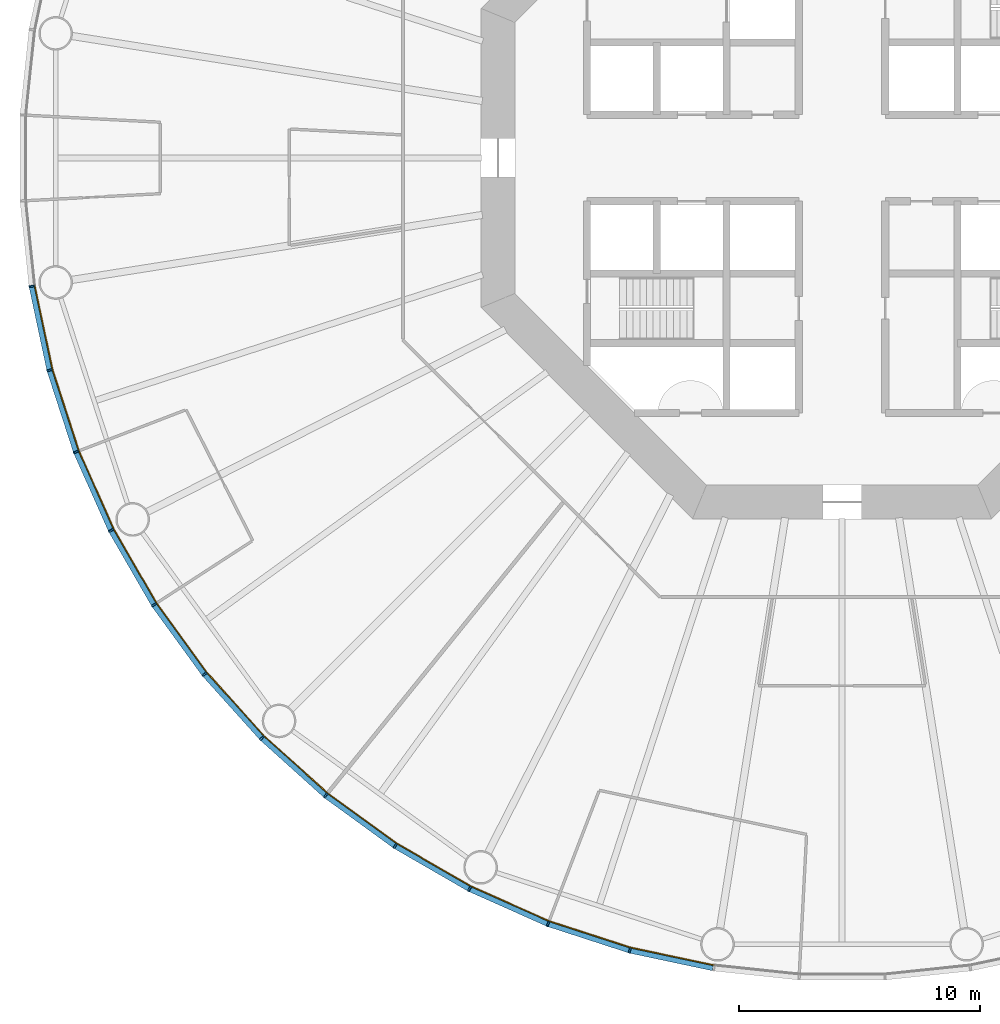
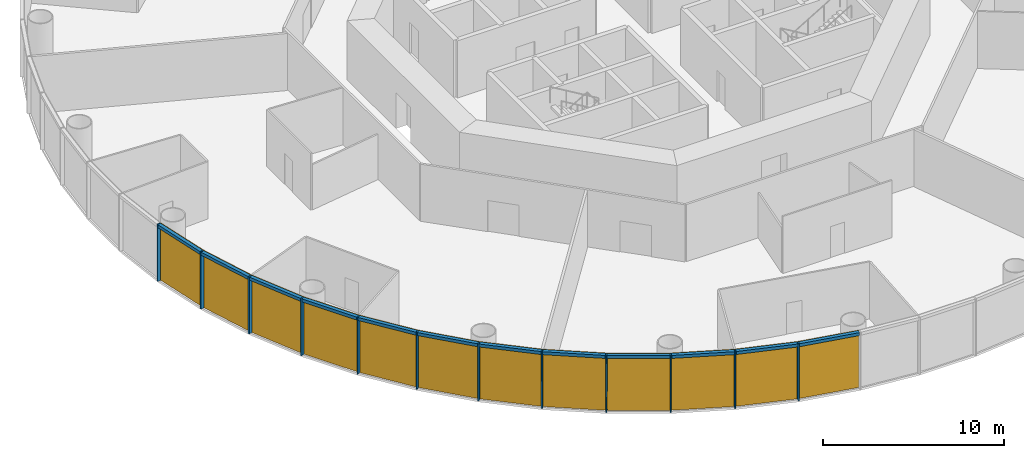
# One storey, part 7 of 13: 24 members, 4 curtain walls.
"""IFC4 building model written with IfcOpenShell, lengths in metres."""

import ifcopenshell
import ifcopenshell.guid

model = None  # the IFC model being written
_history = None  # IfcOwnerHistory: only IFC2X3 demands one
_inside = {}  # id of a spatial element -> (the spatial element, [elements in it])
_under = {}  # id of a project, library or spatial element -> (it, [spatial elements below it])
_declared = {}  # id of a project -> (the project, [libraries it declares])
_typed = {}  # id of a type object -> (the type object, [elements of that type])
_made_of = {}  # id of a material, layer set ... -> (it, [elements and type objects made of it])


def new_model(schema):
    """Start an empty IFC model of exactly this schema.

    Asked for "IFC4X3", IfcOpenShell would pick the latest addendum, in which some entities
    have other attributes; the version numbers below select the first issue.
    IFC2X3 requires an IfcOwnerHistory on every rooted entity: one is made here for all.
    """
    global model, _history
    if schema == "IFC4X3":
        model = ifcopenshell.file(schema_version=(4, 3, 0, 0))
    else:
        model = ifcopenshell.file(schema=schema)
    _inside.clear()
    _under.clear()
    _declared.clear()
    _typed.clear()
    _made_of.clear()
    _history = None
    if model.schema == "IFC2X3":
        org = make("IfcOrganization", Name="unknown")
        user = make(
            "IfcPersonAndOrganization",
            ThePerson=make("IfcPerson", FamilyName="unknown"),
            TheOrganization=org,
        )
        app = make(
            "IfcApplication",
            ApplicationDeveloper=org,
            Version="unknown",
            ApplicationFullName="unknown",
            ApplicationIdentifier="unknown",
        )
        _history = make(
            "IfcOwnerHistory",
            OwningUser=user,
            OwningApplication=app,
            ChangeAction="ADDED",
            CreationDate=0,
        )
    return model


def make(cls, **values):
    """One entity of the class cls with the attributes given. An attribute that is None is left unset."""
    return model.create_entity(
        cls, **{name: value for name, value in values.items() if value is not None}
    )


def rooted(cls, **values):
    """An entity with a GlobalId (a new one), such as an element, a storey or a relation."""
    return make(cls, GlobalId=ifcopenshell.guid.new(), OwnerHistory=_history, **values)


def si_unit(unit_type, name, prefix=None):
    """IfcSIUnit, for example si_unit("LENGTHUNIT", "METRE", prefix="MILLI")."""
    return make("IfcSIUnit", UnitType=unit_type, Prefix=prefix, Name=name)


def assignment(units):
    """IfcUnitAssignment: the units of a project."""
    return None if units is None else make("IfcUnitAssignment", Units=units)


def point(xyz):
    """IfcCartesianPoint."""
    return None if xyz is None else make("IfcCartesianPoint", Coordinates=xyz)


def direction(xyz):
    """IfcDirection."""
    return None if xyz is None else make("IfcDirection", DirectionRatios=xyz)


def frame(location, z_axis=None, x_axis=None):
    """IfcAxis2Placement3D, a coordinate frame: its origin and axes. An axis left out is left unset."""
    return make(
        "IfcAxis2Placement3D",
        Location=point(location),
        Axis=direction(z_axis),
        RefDirection=direction(x_axis),
    )


def frame_2d(location, x_axis=None):
    """IfcAxis2Placement2D, a coordinate frame in the plane: its origin and x axis."""
    return make(
        "IfcAxis2Placement2D", Location=point(location), RefDirection=direction(x_axis)
    )


def origin():
    """The frame at (0, 0, 0) with its axes left unset."""
    return frame((0.0, 0.0, 0.0))


def origin_2d():
    """The frame at (0, 0) in the plane with its x axis left unset."""
    return frame_2d((0.0, 0.0))


def place(relative_to, where):
    """IfcLocalPlacement: puts the frame where relative to a parent placement (None: the world)."""
    return make(
        "IfcLocalPlacement", PlacementRelTo=relative_to, RelativePlacement=where
    )


def context(
    kind, dimensions, precision=None, world=None, true_north=None, identifier=None
):
    """IfcGeometricRepresentationContext, for example the 3D "Model" context."""
    return make(
        "IfcGeometricRepresentationContext",
        ContextIdentifier=identifier,
        ContextType=kind,
        CoordinateSpaceDimension=dimensions,
        Precision=precision,
        WorldCoordinateSystem=world,
        TrueNorth=true_north,
    )


def subcontext(parent, identifier, kind, view, scale=None):
    """IfcGeometricRepresentationSubContext, for example "Body" below "Model"."""
    return make(
        "IfcGeometricRepresentationSubContext",
        ContextIdentifier=identifier,
        ContextType=kind,
        ParentContext=parent,
        TargetScale=scale,
        TargetView=view,
    )


def project(units=None, contexts=None):
    """IfcProject with its units and contexts."""
    return rooted(
        "IfcProject",
        Name="project",
        RepresentationContexts=contexts,
        UnitsInContext=assignment(units),
    )


def spatial(cls, under=None, at=None, **own):
    """A site, building, storey or space (cls), placed at a placement, below another one or the project."""
    s = rooted(cls, ObjectPlacement=at, **own)
    if under is not None:
        _under.setdefault(under.id(), (under, []))[1].append(s)
    return s


def polyline(points):
    """IfcPolyline through the points."""
    return make("IfcPolyline", Points=[point(p) for p in points])


def profile(cls, at=None, kind="AREA", **sizes):
    """A parametric profile (cls). Its sizes go by their IFC names, for example OverallWidth=200.0."""
    return make(cls, ProfileType=kind, Position=at, **sizes)


def rectangle(**sizes):
    """IfcRectangleProfileDef."""
    return profile("IfcRectangleProfileDef", **sizes)


def outline(outer, holes=None, kind="AREA"):
    """IfcArbitraryClosedProfileDef: a profile drawn as a closed curve; with holes, ...WithVoids."""
    if holes is None:
        return make("IfcArbitraryClosedProfileDef", ProfileType=kind, OuterCurve=outer)
    return make(
        "IfcArbitraryProfileDefWithVoids",
        ProfileType=kind,
        OuterCurve=outer,
        InnerCurves=holes,
    )


def extrude(swept, where, along, depth):
    """IfcExtrudedAreaSolid: the profile swept, set in the frame where, extruded along a direction by depth."""
    return make(
        "IfcExtrudedAreaSolid",
        SweptArea=swept,
        Position=where,
        ExtrudedDirection=direction(along),
        Depth=depth,
    )


def shape(context_of_items, identifier, shape_type, items):
    """IfcShapeRepresentation: the items that make up one representation, for example the "Body"."""
    return make(
        "IfcShapeRepresentation",
        ContextOfItems=context_of_items,
        RepresentationIdentifier=identifier,
        RepresentationType=shape_type,
        Items=items,
    )


def material(Name=None, Category=None):
    """IfcMaterial."""
    return make("IfcMaterial", Name=Name, Category=Category)


def layer(
    of_material, thickness, ventilated=None, Name=None, Category=None, Priority=None
):
    """IfcMaterialLayer: one layer of a wall or slab, of a material (None: an air gap)."""
    return make(
        "IfcMaterialLayer",
        Material=of_material,
        LayerThickness=thickness,
        IsVentilated=ventilated,
        Name=Name,
        Category=Category,
        Priority=Priority,
    )


def layer_set(layers, Name=None):
    """IfcMaterialLayerSet."""
    return make("IfcMaterialLayerSet", MaterialLayers=layers, LayerSetName=Name)


def material_profile(
    of_material, cross_section, Name=None, Category=None, Priority=None
):
    """IfcMaterialProfile: a cross section and its material."""
    return make(
        "IfcMaterialProfile",
        Name=Name,
        Material=of_material,
        Profile=cross_section,
        Priority=Priority,
        Category=Category,
    )


def profile_set(profiles, Name=None, composite=None):
    """IfcMaterialProfileSet."""
    return make(
        "IfcMaterialProfileSet",
        Name=Name,
        MaterialProfiles=profiles,
        CompositeProfile=composite,
    )


def made_of(thing, what):
    """Note that an element or type object is made of a material, layer set ...; save() writes the relation."""
    if what is not None:
        _made_of.setdefault(what.id(), (what, []))[1].append(thing)
    return thing


def type_object(cls, material=None, **own):
    """A type object (cls), such as IfcWallType, which elements share."""
    return made_of(rooted(cls, **own), material)


def element(
    cls,
    number,
    at=None,
    inside=None,
    cuts=None,
    type_object=None,
    material=None,
    context=None,
    identifier="Body",
    shape_type=None,
    held_by="IfcProductDefinitionShape",
    body=None,
    shapes=None,
    **own,
):
    """One element of the class cls, such as IfcWall. Its Tag is "e" and its number.

    at: its placement. inside: the storey or other place that contains it. cuts: it is an
    opening in that element (IfcRelVoidsElement). A single representation is given by context,
    identifier, shape_type and body (its items); several are given by shapes. held_by: the class
    of the entity that holds the representations. save() writes the other relations.
    """
    e = rooted(cls, Tag="e%d" % number, ObjectPlacement=at, **own)
    if body is not None:
        shapes = [shape(context, identifier, shape_type, body)]
    if shapes is not None:
        e.Representation = make(held_by, Representations=shapes)
    if inside is not None:
        _inside.setdefault(inside.id(), (inside, []))[1].append(e)
    if cuts is not None:
        rooted(
            "IfcRelVoidsElement", RelatingBuildingElement=cuts, RelatedOpeningElement=e
        )
    if type_object is not None:
        _typed.setdefault(type_object.id(), (type_object, []))[1].append(e)
    return made_of(e, material)


def aggregate(whole, parts):
    """IfcRelAggregates: a whole, such as a stair, and the parts it consists of."""
    return rooted("IfcRelAggregates", RelatingObject=whole, RelatedObjects=parts)


def save(model, path):
    """Write the relations noted so far, then the file.

    IfcRelAggregates (storeys below a building ...), IfcRelContainedInSpatialStructure (elements
    in a storey), IfcRelDefinesByType, IfcRelAssociatesMaterial and IfcRelDeclares: one each for
    every whole, place, type object, material and project.
    """
    for whole, parts in _under.values():
        aggregate(whole, parts)
    for where, things in _inside.values():
        rooted(
            "IfcRelContainedInSpatialStructure",
            RelatedElements=things,
            RelatingStructure=where,
        )
    for kind, things in _typed.values():
        rooted("IfcRelDefinesByType", RelatedObjects=things, RelatingType=kind)
    for what, things in _made_of.values():
        rooted("IfcRelAssociatesMaterial", RelatedObjects=things, RelatingMaterial=what)
    for by, libraries in _declared.values():
        rooted("IfcRelDeclares", RelatingContext=by, RelatedDefinitions=libraries)
    model.write(path)


model = new_model("IFC4")

# Units and contexts
model_context = context("Model", 3, precision=1e-05, world=origin(), true_north=direction((0.0, 1.0)))
body_context = subcontext(model_context, "Body", "Model", "MODEL_VIEW")
ifc_project = project(units=[si_unit("LENGTHUNIT", "METRE"), si_unit("AREAUNIT", "SQUARE_METRE"), si_unit("VOLUMEUNIT", "CUBIC_METRE"), si_unit("PLANEANGLEUNIT", "RADIAN"), si_unit("MASSUNIT", "GRAM", prefix="KILO")], contexts=[model_context])

# Member
ifc_material_1 = material(Name="Anodised aluminium", Category="aluminium")
ifc_material_profile_1 = material_profile(ifc_material_1, rectangle(XDim=0.074951171875, YDim=0.219970703125, at=origin_2d()), Name="Mullion 75 x 220 mm anodised aluminium")
ifc_profile_set_1 = profile_set([ifc_material_profile_1], Name="Anodised aluminium")
member_type_1 = type_object("IfcMemberType", Name="Mullion 75 x 220 mm anodised aluminium", PredefinedType="MULLION", material=ifc_profile_set_1)
site_placement = place(None, origin())
building_placement = place(site_placement, origin())
storey_placement = place(building_placement, frame((0.0, 0.0, 58.0)))
member_1_placement = place(storey_placement, frame((56.31005859375, 74.6640625, 0.0), z_axis=(0.0, 0.0, 1.0), x_axis=(0.15643446504, -0.987688340595, 0.0)))
member_1 = element("IfcMember", 1, at=member_1_placement, type_object=member_type_1, Name="MULLION L12-30", PredefinedType="MULLION", context=body_context, shape_type="SweptSolid", body=[
    extrude(rectangle(XDim=0.074951171875, YDim=0.219970703125, at=origin_2d()), origin(), (0.0, 0.0, 1.0), 3.85009765625),
])

member_2_placement = place(storey_placement, frame((57.05224609375, 71.171630859375, 0.0), z_axis=(0.0, 0.0, 1.0), x_axis=(0.258819045103, -0.965925826289, 0.0)))
member_2 = element("IfcMember", 2, at=member_2_placement, type_object=member_type_1, Name="MULLION L12-31", PredefinedType="MULLION", context=body_context, shape_type="SweptSolid", body=[
    extrude(rectangle(XDim=0.074951171875, YDim=0.219970703125, at=origin_2d()), origin(), (0.0, 0.0, 1.0), 3.85009765625),
])

member_3_placement = place(storey_placement, frame((58.155517578125, 67.776123046875, 0.0), z_axis=(0.0, 0.0, 1.0), x_axis=(0.358367949545, -0.933580426497, 0.0)))
member_3 = element("IfcMember", 3, at=member_3_placement, type_object=member_type_1, Name="MULLION L12-32", PredefinedType="MULLION", context=body_context, shape_type="SweptSolid", body=[
    extrude(rectangle(XDim=0.074951171875, YDim=0.219970703125, at=origin_2d()), origin(), (0.0, 0.0, 1.0), 3.85009765625),
])

member_4_placement = place(storey_placement, frame((59.607666015625, 64.514404296875, 0.0), z_axis=(0.0, 0.0, 1.0), x_axis=(0.45399049974, -0.891006524188, 0.0)))
member_4 = element("IfcMember", 4, at=member_4_placement, type_object=member_type_1, Name="MULLION L12-33", PredefinedType="MULLION", context=body_context, shape_type="SweptSolid", body=[
    extrude(rectangle(XDim=0.074951171875, YDim=0.219970703125, at=origin_2d()), origin(), (0.0, 0.0, 1.0), 3.85009765625),
])

member_5_placement = place(storey_placement, frame((61.39306640625, 61.42236328125, 0.0), z_axis=(0.0, 0.0, 1.0), x_axis=(0.544639035015, -0.838670567945, 0.0)))
member_5 = element("IfcMember", 5, at=member_5_placement, type_object=member_type_1, Name="MULLION L12-34", PredefinedType="MULLION", context=body_context, shape_type="SweptSolid", body=[
    extrude(rectangle(XDim=0.074951171875, YDim=0.219970703125, at=origin_2d()), origin(), (0.0, 0.0, 1.0), 3.85009765625),
])

member_6_placement = place(storey_placement, frame((63.491455078125, 58.533935546875, 0.0), z_axis=(0.0, 0.0, 1.0), x_axis=(0.62932039105, -0.777145961457, 0.0)))
member_6 = element("IfcMember", 6, at=member_6_placement, type_object=member_type_1, Name="MULLION L12-35", PredefinedType="MULLION", context=body_context, shape_type="SweptSolid", body=[
    extrude(rectangle(XDim=0.074951171875, YDim=0.219970703125, at=origin_2d()), origin(), (0.0, 0.0, 1.0), 3.85009765625),
])

member_7_placement = place(storey_placement, frame((65.880615234375, 55.880615234375, 0.0), z_axis=(0.0, 0.0, 1.0), x_axis=(0.707106781187, -0.707106781187, 0.0)))
member_7 = element("IfcMember", 7, at=member_7_placement, type_object=member_type_1, Name="MULLION L12-36", PredefinedType="MULLION", context=body_context, shape_type="SweptSolid", body=[
    extrude(rectangle(XDim=0.074951171875, YDim=0.219970703125, at=origin_2d()), origin(), (0.0, 0.0, 1.0), 3.85009765625),
])

member_8_placement = place(storey_placement, frame((68.533935546875, 53.491455078125, 0.0), z_axis=(0.0, 0.0, 1.0), x_axis=(0.777145961457, -0.62932039105, 0.0)))
member_8 = element("IfcMember", 8, at=member_8_placement, type_object=member_type_1, Name="MULLION L12-37", PredefinedType="MULLION", context=body_context, shape_type="SweptSolid", body=[
    extrude(rectangle(XDim=0.074951171875, YDim=0.219970703125, at=origin_2d()), origin(), (0.0, 0.0, 1.0), 3.85009765625),
])

member_9_placement = place(storey_placement, frame((71.42236328125, 51.39306640625, 0.0), z_axis=(0.0, 0.0, 1.0), x_axis=(0.838670567945, -0.544639035015, 0.0)))
member_9 = element("IfcMember", 9, at=member_9_placement, type_object=member_type_1, Name="MULLION L12-38", PredefinedType="MULLION", context=body_context, shape_type="SweptSolid", body=[
    extrude(rectangle(XDim=0.074951171875, YDim=0.219970703125, at=origin_2d()), origin(), (0.0, 0.0, 1.0), 3.85009765625),
])

member_10_placement = place(storey_placement, frame((74.514404296875, 49.607666015625, 0.0), z_axis=(0.0, 0.0, 1.0), x_axis=(0.891006524188, -0.45399049974, 0.0)))
member_10 = element("IfcMember", 10, at=member_10_placement, type_object=member_type_1, Name="MULLION L12-39", PredefinedType="MULLION", context=body_context, shape_type="SweptSolid", body=[
    extrude(rectangle(XDim=0.074951171875, YDim=0.219970703125, at=origin_2d()), origin(), (0.0, 0.0, 1.0), 3.85009765625),
])

member_11_placement = place(storey_placement, frame((77.776123046875, 48.155517578125, 0.0), z_axis=(0.0, 0.0, 1.0), x_axis=(0.933580426497, -0.358367949545, 0.0)))
member_11 = element("IfcMember", 11, at=member_11_placement, type_object=member_type_1, Name="MULLION L12-40", PredefinedType="MULLION", context=body_context, shape_type="SweptSolid", body=[
    extrude(rectangle(XDim=0.074951171875, YDim=0.219970703125, at=origin_2d()), origin(), (0.0, 0.0, 1.0), 3.85009765625),
])

member_12_placement = place(storey_placement, frame((81.171630859375, 47.05224609375, 0.0), z_axis=(0.0, 0.0, 1.0), x_axis=(0.965925826289, -0.258819045103, 0.0)))
member_12 = element("IfcMember", 12, at=member_12_placement, type_object=member_type_1, Name="MULLION L12-41", PredefinedType="MULLION", context=body_context, shape_type="SweptSolid", body=[
    extrude(rectangle(XDim=0.074951171875, YDim=0.219970703125, at=origin_2d()), origin(), (0.0, 0.0, 1.0), 3.85009765625),
])

ifc_material_2 = material(Name="Anodised aluminium", Category="aluminium")
ifc_material_profile_2 = material_profile(ifc_material_2, rectangle(XDim=0.219970703125, YDim=0.199951171875, at=origin_2d()), Name="Transom 200 x 220 mm anodised aluminium")
ifc_profile_set_2 = profile_set([ifc_material_profile_2], Name="Anodised aluminium")
member_type_2 = type_object("IfcMemberType", Name="Transom 200 x 220 mm anodised aluminium", PredefinedType="USERDEFINED", material=ifc_profile_set_2)
member_13_placement = place(storey_placement, frame((56.31884765625, 74.62158203125, 3.75), z_axis=(0.207920776701, -0.978145669426, 0.0), x_axis=(0.978145669426, 0.207920776701, 0.0)))
member_13 = element("IfcMember", 13, at=member_13_placement, type_object=member_type_2, Name="TRANSOM L12-30", ObjectType="TRANSOM", PredefinedType="USERDEFINED", context=body_context, shape_type="SweptSolid", body=[
    extrude(rectangle(XDim=0.219970703125, YDim=0.199951171875, at=origin_2d()), origin(), (0.0, 0.0, 1.0), 3.48388671875),
])

member_14_placement = place(storey_placement, frame((57.0654296875, 71.130615234375, 3.75), z_axis=(0.309029029702, -0.951052605696, 0.0), x_axis=(0.951052605696, 0.309029029702, 0.0)))
member_14 = element("IfcMember", 14, at=member_14_placement, type_object=member_type_2, Name="TRANSOM L12-31", ObjectType="TRANSOM", PredefinedType="USERDEFINED", context=body_context, shape_type="SweptSolid", body=[
    extrude(rectangle(XDim=0.219970703125, YDim=0.199951171875, at=origin_2d()), origin(), (0.0, 0.0, 1.0), 3.484130859375),
])

member_15_placement = place(storey_placement, frame((58.173095703125, 67.736572265625, 3.75), z_axis=(0.406736576304, -0.913545487371, 0.0), x_axis=(0.913545487371, 0.406736576304, 0.0)))
member_15 = element("IfcMember", 15, at=member_15_placement, type_object=member_type_2, Name="TRANSOM L12-32", ObjectType="TRANSOM", PredefinedType="USERDEFINED", context=body_context, shape_type="SweptSolid", body=[
    extrude(rectangle(XDim=0.219970703125, YDim=0.199951171875, at=origin_2d()), origin(), (0.0, 0.0, 1.0), 3.48388671875),
])

member_16_placement = place(storey_placement, frame((59.629150390625, 64.476806640625, 3.75), z_axis=(0.500005538244, -0.866022206254, 0.0), x_axis=(0.866022206254, 0.500005538244, 0.0)))
member_16 = element("IfcMember", 16, at=member_16_placement, type_object=member_type_2, Name="TRANSOM L12-33", ObjectType="TRANSOM", PredefinedType="USERDEFINED", context=body_context, shape_type="SweptSolid", body=[
    extrude(rectangle(XDim=0.219970703125, YDim=0.199951171875, at=origin_2d()), origin(), (0.0, 0.0, 1.0), 3.48388671875),
])

member_17_placement = place(storey_placement, frame((61.418212890625, 61.38720703125, 3.75), z_axis=(0.587821627006, -0.80899056535, 0.0), x_axis=(0.80899056535, 0.587821627006, 0.0)))
member_17 = element("IfcMember", 17, at=member_17_placement, type_object=member_type_2, Name="TRANSOM L12-34", ObjectType="TRANSOM", PredefinedType="USERDEFINED", context=body_context, shape_type="SweptSolid", body=[
    extrude(rectangle(XDim=0.219970703125, YDim=0.199951171875, at=origin_2d()), origin(), (0.0, 0.0, 1.0), 3.48388671875),
])

member_18_placement = place(storey_placement, frame((63.520263671875, 58.501708984375, 3.75), z_axis=(0.669138930974, -0.743137329876, 0.0), x_axis=(0.743137329876, 0.669138930974, 0.0)))
member_18 = element("IfcMember", 18, at=member_18_placement, type_object=member_type_2, Name="TRANSOM L12-35", ObjectType="TRANSOM", PredefinedType="USERDEFINED", context=body_context, shape_type="SweptSolid", body=[
    extrude(rectangle(XDim=0.219970703125, YDim=0.199951171875, at=origin_2d()), origin(), (0.0, 0.0, 1.0), 3.484130859375),
])

member_19_placement = place(storey_placement, frame((65.91259765625, 55.8515625, 3.75), z_axis=(0.743137329876, -0.669138930974, 0.0), x_axis=(0.669138930974, 0.743137329876, 0.0)))
member_19 = element("IfcMember", 19, at=member_19_placement, type_object=member_type_2, Name="TRANSOM L12-36", ObjectType="TRANSOM", PredefinedType="USERDEFINED", context=body_context, shape_type="SweptSolid", body=[
    extrude(rectangle(XDim=0.219970703125, YDim=0.199951171875, at=origin_2d()), origin(), (0.0, 0.0, 1.0), 3.484130859375),
])

member_20_placement = place(storey_placement, frame((68.56884765625, 53.466064453125, 3.75), z_axis=(0.80899056535, -0.587821627006, 0.0), x_axis=(0.587821627006, 0.80899056535, 0.0)))
member_20 = element("IfcMember", 20, at=member_20_placement, type_object=member_type_2, Name="TRANSOM L12-37", ObjectType="TRANSOM", PredefinedType="USERDEFINED", context=body_context, shape_type="SweptSolid", body=[
    extrude(rectangle(XDim=0.219970703125, YDim=0.199951171875, at=origin_2d()), origin(), (0.0, 0.0, 1.0), 3.48388671875),
])

member_21_placement = place(storey_placement, frame((71.459716796875, 51.37109375, 3.75), z_axis=(0.866022206254, -0.500005538244, 0.0), x_axis=(0.500005538244, 0.866022206254, 0.0)))
member_21 = element("IfcMember", 21, at=member_21_placement, type_object=member_type_2, Name="TRANSOM L12-38", ObjectType="TRANSOM", PredefinedType="USERDEFINED", context=body_context, shape_type="SweptSolid", body=[
    extrude(rectangle(XDim=0.219970703125, YDim=0.199951171875, at=origin_2d()), origin(), (0.0, 0.0, 1.0), 3.48388671875),
])

member_22_placement = place(storey_placement, frame((74.553955078125, 49.590087890625, 3.75), z_axis=(0.913545487371, -0.406736576304, 0.0), x_axis=(0.406736576304, 0.913545487371, 0.0)))
member_22 = element("IfcMember", 22, at=member_22_placement, type_object=member_type_2, Name="TRANSOM L12-39", ObjectType="TRANSOM", PredefinedType="USERDEFINED", context=body_context, shape_type="SweptSolid", body=[
    extrude(rectangle(XDim=0.219970703125, YDim=0.199951171875, at=origin_2d()), origin(), (0.0, 0.0, 1.0), 3.48388671875),
])

member_23_placement = place(storey_placement, frame((77.817138671875, 48.14208984375, 3.75), z_axis=(0.951052605696, -0.309029029702, 0.0), x_axis=(0.309029029702, 0.951052605696, 0.0)))
member_23 = element("IfcMember", 23, at=member_23_placement, type_object=member_type_2, Name="TRANSOM L12-40", ObjectType="TRANSOM", PredefinedType="USERDEFINED", context=body_context, shape_type="SweptSolid", body=[
    extrude(rectangle(XDim=0.219970703125, YDim=0.199951171875, at=origin_2d()), origin(), (0.0, 0.0, 1.0), 3.484130859375),
])

member_24_placement = place(storey_placement, frame((81.2138671875, 47.043212890625, 3.75), z_axis=(0.978145669426, -0.207920776701, 0.0), x_axis=(0.207920776701, 0.978145669426, 0.0)))
member_24 = element("IfcMember", 24, at=member_24_placement, type_object=member_type_2, Name="TRANSOM L12-41", ObjectType="TRANSOM", PredefinedType="USERDEFINED", context=body_context, shape_type="SweptSolid", body=[
    extrude(rectangle(XDim=0.219970703125, YDim=0.199951171875, at=origin_2d()), origin(), (0.0, 0.0, 1.0), 3.48388671875),
])

# Site, building, storey
site = spatial("IfcSite", under=ifc_project, at=site_placement, CompositionType="ELEMENT")
building = spatial("IfcBuilding", under=site, at=building_placement, Name="Entoto Ring Tower", CompositionType="ELEMENT")
storey = spatial("IfcBuildingStorey", under=building, at=storey_placement, Name="L12", CompositionType="ELEMENT", Elevation=58.0)

# Curtain wall
ifc_material_3 = material(Name="Clear low-iron glass", Category="glass")
ifc_layer = layer(ifc_material_3, 0.0400390625)
ifc_layer_set = layer_set([ifc_layer], Name="Clear low-iron glass")
curtain_wall_type = type_object("IfcCurtainWallType", Name="Curtain wall system CW1 glazing 40 mm", PredefinedType="NOTDEFINED", material=ifc_layer_set)
curtain_wall_1_placement = place(storey_placement, origin())
curtain_wall_1 = element("IfcCurtainWall", 25, at=curtain_wall_1_placement, inside=storey, type_object=curtain_wall_type, Name="CW1 L12-11", PredefinedType="NOTDEFINED", context=body_context, shape_type="SweptSolid", body=[
    extrude(outline(polyline([(56.418701171875, 74.68115234375), (57.158447265625, 71.2001953125), (58.25830078125, 67.8154296875), (59.705810546875, 64.564208984375), (59.741455078125, 64.58251953125), (58.295654296875, 67.829833984375), (57.197265625, 71.21044921875), (56.458251953125, 74.6875), (56.418701171875, 74.68115234375)])), origin(), (0.0, 0.0, 1.0), 3.85009765625),
])

aggregate(curtain_wall_1, [member_1, member_2, member_3, member_13, member_14, member_15])

curtain_wall_2_placement = place(storey_placement, origin())
curtain_wall_2 = element("IfcCurtainWall", 26, at=curtain_wall_2_placement, inside=storey, type_object=curtain_wall_type, Name="CW1 L12-12", PredefinedType="NOTDEFINED", context=body_context, shape_type="SweptSolid", body=[
    extrude(outline(polyline([(59.705810546875, 64.564208984375), (61.485107421875, 61.482177734375), (63.5771484375, 58.60302734375), (65.958251953125, 55.958251953125), (65.986572265625, 55.986572265625), (63.608154296875, 58.62841796875), (61.518798828125, 61.504150390625), (59.741455078125, 64.58251953125), (59.705810546875, 64.564208984375)])), origin(), (0.0, 0.0, 1.0), 3.85009765625),
])

aggregate(curtain_wall_2, [member_4, member_5, member_6, member_16, member_17, member_18])

curtain_wall_3_placement = place(storey_placement, origin())
curtain_wall_3 = element("IfcCurtainWall", 27, at=curtain_wall_3_placement, inside=storey, type_object=curtain_wall_type, Name="CW1 L12-13", PredefinedType="NOTDEFINED", context=body_context, shape_type="SweptSolid", body=[
    extrude(outline(polyline([(65.958251953125, 55.958251953125), (68.60302734375, 53.5771484375), (71.482177734375, 51.485107421875), (74.564208984375, 49.705810546875), (74.58251953125, 49.741455078125), (71.504150390625, 51.518798828125), (68.62841796875, 53.608154296875), (65.986572265625, 55.986572265625), (65.958251953125, 55.958251953125)])), origin(), (0.0, 0.0, 1.0), 3.85009765625),
])

aggregate(curtain_wall_3, [member_7, member_8, member_9, member_19, member_20, member_21])

curtain_wall_4_placement = place(storey_placement, origin())
curtain_wall_4 = element("IfcCurtainWall", 28, at=curtain_wall_4_placement, inside=storey, type_object=curtain_wall_type, Name="CW1 L12-14", PredefinedType="NOTDEFINED", context=body_context, shape_type="SweptSolid", body=[
    extrude(outline(polyline([(74.564208984375, 49.705810546875), (77.8154296875, 48.25830078125), (81.2001953125, 47.158447265625), (84.68115234375, 46.418701171875), (84.6875, 46.458251953125), (81.21044921875, 47.197265625), (77.829833984375, 48.295654296875), (74.58251953125, 49.741455078125), (74.564208984375, 49.705810546875)])), origin(), (0.0, 0.0, 1.0), 3.85009765625),
])

aggregate(curtain_wall_4, [member_10, member_11, member_12, member_22, member_23, member_24])

save(model, "model.ifc")
